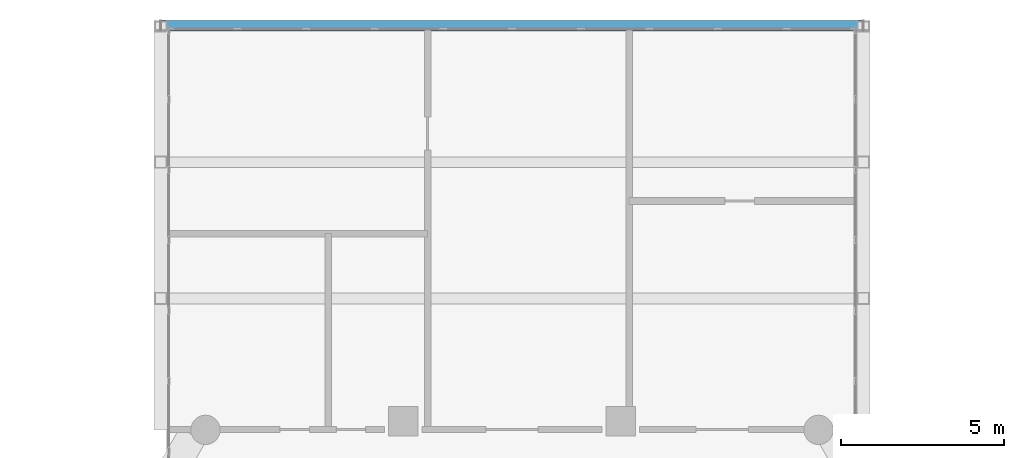
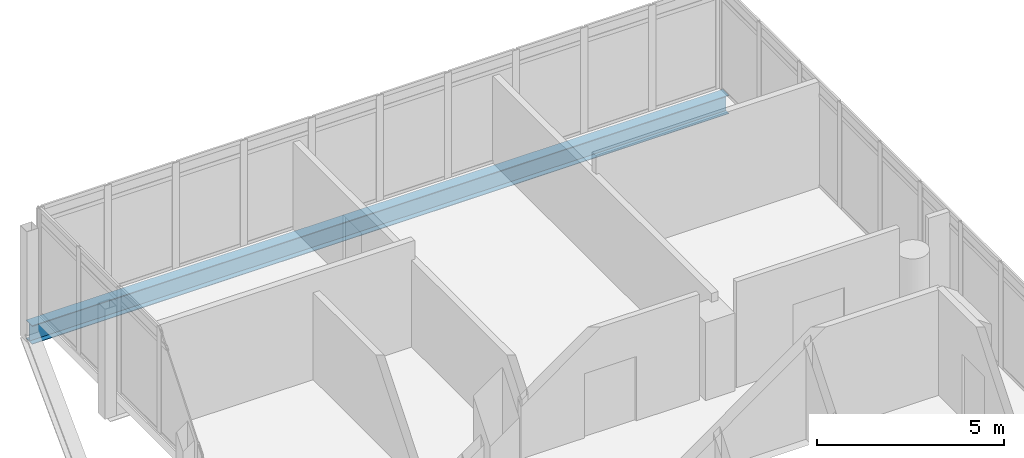
# One storey, part 24 of 34: 1 beam.
"""IFC4 building model written with IfcOpenShell, lengths in metres."""

from ifc_helpers import new_model, si_unit, direction, frame, origin, origin_2d, place, context, subcontext, project, spatial, i_section, extrude, material, material_profile, profile_set, type_object, element, save


model = new_model("IFC4")

# Units and contexts
model_context = context("Model", 3, precision=1e-05, world=origin(), true_north=direction((0.0, 1.0)))
body_context = subcontext(model_context, "Body", "Model", "MODEL_VIEW")
ifc_project = project(units=[si_unit("LENGTHUNIT", "METRE"), si_unit("AREAUNIT", "SQUARE_METRE"), si_unit("VOLUMEUNIT", "CUBIC_METRE"), si_unit("PLANEANGLEUNIT", "RADIAN"), si_unit("MASSUNIT", "GRAM", prefix="KILO")], contexts=[model_context])

# Site, building, storey
site_placement = place(None, origin())
site = spatial("IfcSite", under=ifc_project, at=site_placement, CompositionType="ELEMENT")
building_placement = place(site_placement, origin())
building = spatial("IfcBuilding", under=site, at=building_placement, Name="Ostrander Bayou Hotel Tower", CompositionType="ELEMENT")
storey_placement = place(building_placement, frame((0.0, 0.0, 222.0)))
storey = spatial("IfcBuildingStorey", under=building, at=storey_placement, Name="L55", CompositionType="ELEMENT", Elevation=222.0)

# Beam
ifc_material = material(Name="Steel ASTM A992", Category="steel")
ifc_material_profile = material_profile(ifc_material, i_section(OverallWidth=0.32373046875, OverallDepth=0.611083984375, WebThickness=0.0126953125, FlangeThickness=0.01904296875, at=origin_2d()))
ifc_profile_set = profile_set([ifc_material_profile], Name="Steel ASTM A992")
beam_type = type_object("IfcBeamType", Name="TF2 bar floor beam W24x104", PredefinedType="BEAM", material=ifc_profile_set)
beam_placement = place(storey_placement, frame((-10.764892578125, 28.966552734375, -0.605712890625), z_axis=(1.0, 0.0, 0.0), x_axis=(0.0, 1.0, 0.0)))
element("IfcBeam", 1, at=beam_placement, inside=storey, type_object=beam_type, Name="TF2 SB5W L1-1", PredefinedType="BEAM", context=body_context, shape_type="SweptSolid", body=[
    extrude(i_section(OverallWidth=0.32373046875, OverallDepth=0.611083984375, WebThickness=0.0126953125, FlangeThickness=0.01904296875, at=origin_2d()), origin(), (0.0, 0.0, 1.0), 21.52978515625),
])

save(model, "model.ifc")
